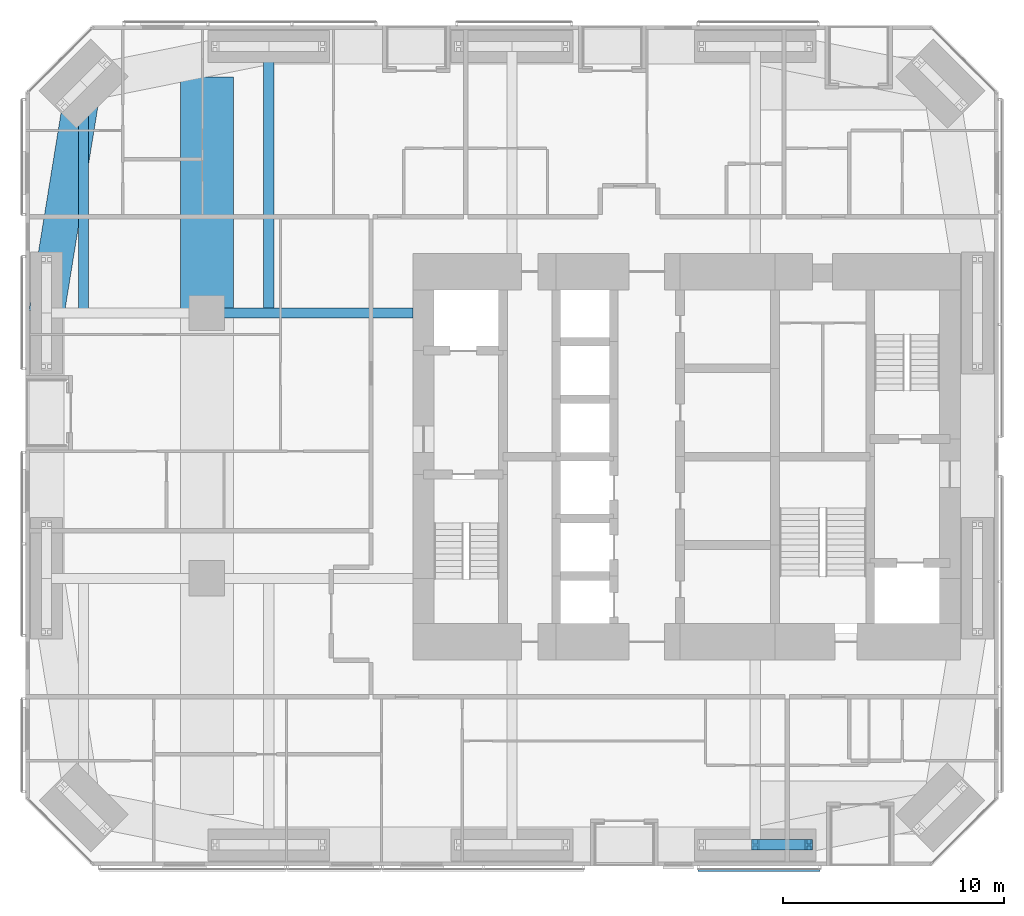
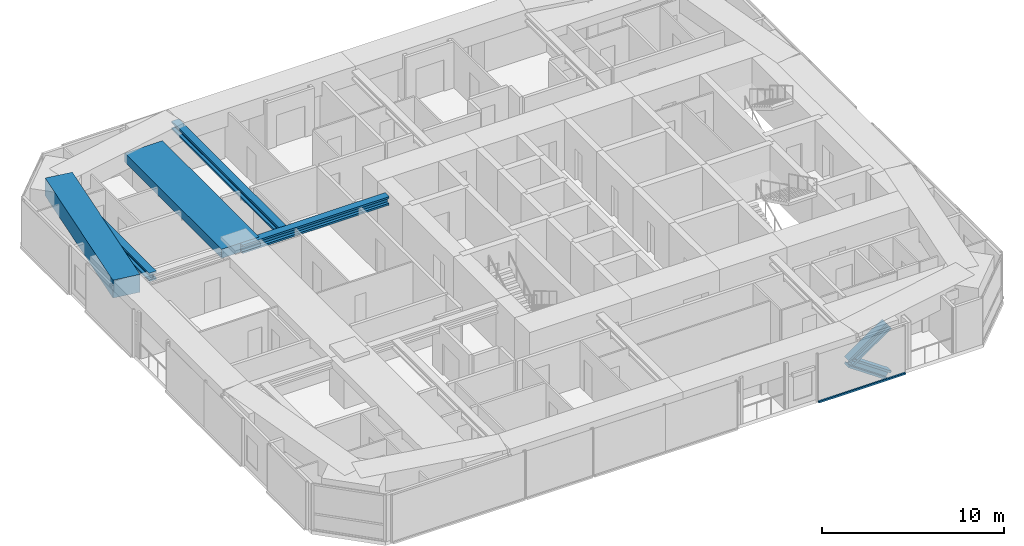
# One storey, part 8 of 24: 5 beams, 3 members, 1 element without a shape of its own.
"""IFC4 building model written with IfcOpenShell, lengths in metres."""

from ifc_helpers import new_model, si_unit, direction, frame, origin, origin_2d, place, context, subcontext, project, spatial, rectangle, i_section, extrude, material, material_profile, profile_set, type_object, element, aggregate, save


model = new_model("IFC4")

# Units and contexts
model_context = context("Model", 3, precision=1e-05, world=origin(), true_north=direction((0.0, 1.0)))
body_context = subcontext(model_context, "Body", "Model", "MODEL_VIEW")
ifc_project = project(units=[si_unit("LENGTHUNIT", "METRE"), si_unit("AREAUNIT", "SQUARE_METRE"), si_unit("VOLUMEUNIT", "CUBIC_METRE"), si_unit("PLANEANGLEUNIT", "RADIAN"), si_unit("MASSUNIT", "GRAM", prefix="KILO")], contexts=[model_context])

# Site, building, storey
site_placement = place(None, origin())
site = spatial("IfcSite", under=ifc_project, at=site_placement, CompositionType="ELEMENT")
building_placement = place(site_placement, origin())
building = spatial("IfcBuilding", under=site, at=building_placement, Name="Jalousie Tower", CompositionType="ELEMENT")
storey_placement = place(building_placement, frame((0.0, 0.0, 47.800048828125)))
storey = spatial("IfcBuildingStorey", under=building, at=storey_placement, Name="L12", CompositionType="ELEMENT", Elevation=47.800048828125)

# Beams
ifc_material_1 = material(Name="Steel ASTM A992 Grade 50", Category="steel")
ifc_material_profile_1 = material_profile(ifc_material_1, i_section(OverallWidth=0.45458984375, OverallDepth=0.569091796875, WebThickness=0.077880859375, FlangeThickness=0.124755859375, at=origin_2d()), Name="W14X730")
ifc_profile_set_1 = profile_set([ifc_material_profile_1], Name="Steel ASTM A992 Grade 50")
beam_type_1 = type_object("IfcBeamType", Name="LEAN COLLECTOR W14X730", PredefinedType="BEAM", material=ifc_profile_set_1)
beam_1_placement = place(storey_placement, frame((10.199951171875, 25.0, 2.825439453125), z_axis=(1.0, 0.0, 0.0), x_axis=(0.0, 1.0, 0.0)))
element("IfcBeam", 1, at=beam_1_placement, inside=storey, type_object=beam_type_1, Name="Lean collector under L13", PredefinedType="BEAM", context=body_context, shape_type="SweptSolid", body=[
    extrude(i_section(OverallWidth=0.45458984375, OverallDepth=0.569091796875, WebThickness=0.077880859375, FlangeThickness=0.124755859375, at=origin_2d()), origin(), (0.0, 0.0, 1.0), 9.324951171875),
])
beam_2_placement = place(storey_placement, frame((4.63134765625, 35.36865234375, 2.825439453125), z_axis=(0.0, -1.0, 0.0), x_axis=(1.0, 0.0, 0.0)))
element("IfcBeam", 2, at=beam_2_placement, inside=storey, type_object=beam_type_1, Name="Lean collector under L13", PredefinedType="BEAM", context=body_context, shape_type="SweptSolid", body=[
    extrude(i_section(OverallWidth=0.45458984375, OverallDepth=0.569091796875, WebThickness=0.077880859375, FlangeThickness=0.124755859375, at=origin_2d()), origin(), (0.0, 0.0, 1.0), 10.36865234375),
])
beam_3_placement = place(storey_placement, frame((13.0, 37.050048828125, 2.825439453125), z_axis=(0.0, -1.0, 0.0), x_axis=(1.0, 0.0, 0.0)))
element("IfcBeam", 3, at=beam_3_placement, inside=storey, type_object=beam_type_1, Name="Lean collector under L13", PredefinedType="BEAM", context=body_context, shape_type="SweptSolid", body=[
    extrude(i_section(OverallWidth=0.45458984375, OverallDepth=0.569091796875, WebThickness=0.077880859375, FlangeThickness=0.124755859375, at=origin_2d()), origin(), (0.0, 0.0, 1.0), 12.050048828125),
])

# Members
ifc_material_2 = material(Name="Steel ASTM A992 Grade 50", Category="steel")
ifc_material_profile_2 = material_profile(ifc_material_2, i_section(OverallWidth=0.472412109375, OverallDepth=0.5791015625, WebThickness=0.094970703125, FlangeThickness=0.1298828125, at=origin_2d()), Name="W14X808")
ifc_profile_set_2 = profile_set([ifc_material_profile_2], Name="Steel ASTM A992 Grade 50")
member_type_1 = type_object("IfcMemberType", Name="PERIMETER BRACE W14X808", PredefinedType="BRACE", material=ifc_profile_set_2)
for number, where, z_axis, x_axis, name in (
    (4, (35.0, 0.949951171875, 1.074951171875), (0.822800062329, 0.0, 0.568330940062), (0.0, 1.0, 0.0), "Perimeter brace 04 L12 part 2"),
    (5, (37.425048828125, 0.949951171875, -0.60009765625), (-0.822800062329, 0.0, 0.568330940062), (0.0, -1.0, 0.0), "Perimeter brace 04 L12 part 3"),
):
    element("IfcMember", number, at=place(storey_placement, frame(where, z_axis=z_axis, x_axis=x_axis)), inside=storey, type_object=member_type_1, Name=name, PredefinedType="BRACE", context=body_context, shape_type="SweptSolid", body=[
        extrude(i_section(OverallWidth=0.472412109375, OverallDepth=0.5791015625, WebThickness=0.094970703125, FlangeThickness=0.1298828125, at=origin_2d()), origin(), (0.0, 0.0, 1.0), 2.947265625),
    ])

# Beams
ifc_material_3 = material(Name="Concrete f'c 40 MPa", Category="concrete")
ifc_material_profile_3 = material_profile(ifc_material_3, rectangle(XDim=1.60009765625, YDim=1.199951171875, at=origin_2d()), Name="RC 1600x1200")
ifc_profile_set_3 = profile_set([ifc_material_profile_3], Name="Concrete f'c 40 MPa")
beam_type_2 = type_object("IfcBeamType", Name="RC BEAM 1600x1200", PredefinedType="BEAM", material=ifc_profile_set_3)
beam_4_placement = place(storey_placement, frame((4.63134765625, 35.36865234375, 2.75), z_axis=(-0.160070546476, -0.987105577003, 0.0), x_axis=(0.987105577003, -0.160070546476, 0.0)))
element("IfcBeam", 6, at=beam_4_placement, inside=storey, type_object=beam_type_2, Name="Edge band beam 12-13 under L13", PredefinedType="BEAM", context=body_context, shape_type="SweptSolid", body=[
    extrude(rectangle(XDim=1.60009765625, YDim=1.199951171875, at=origin_2d()), origin(), (0.0, 0.0, 1.0), 10.504150390625),
])
ifc_material_4 = material(Name="Concrete f'c 40 MPa", Category="concrete")
ifc_material_profile_4 = material_profile(ifc_material_4, rectangle(XDim=2.39990234375, YDim=0.60009765625, at=origin_2d()), Name="RC 2400x600")
ifc_profile_set_4 = profile_set([ifc_material_profile_4], Name="Concrete f'c 40 MPa")
beam_type_3 = type_object("IfcBeamType", Name="RC BEAM 2400x600", PredefinedType="BEAM", material=ifc_profile_set_4)
beam_5_placement = place(storey_placement, frame((10.199951171875, 25.0, 2.81005859375), z_axis=(0.0, 1.0, 0.0), x_axis=(-1.0, 0.0, 0.0)))
element("IfcBeam", 7, at=beam_5_placement, inside=storey, type_object=beam_type_3, Name="Floor band beam under L13", PredefinedType="BEAM", context=body_context, shape_type="SweptSolid", body=[
    extrude(rectangle(XDim=2.39990234375, YDim=0.60009765625, at=origin_2d()), origin(), (0.0, 0.0, 1.0), 10.67138671875),
])

# Curtain wall, member
ifc_material_5 = material(Name="Perforated aluminium sheet", Category="aluminium")
curtain_wall_type = type_object("IfcCurtainWallType", Name="SOLAR SCREEN SS-1", PredefinedType="USERDEFINED", material=ifc_material_5)
curtain_wall_placement = place(storey_placement, origin())
curtain_wall = element("IfcCurtainWall", 8, at=curtain_wall_placement, inside=storey, type_object=curtain_wall_type, Name="Solar screen L12", ObjectType="SOLAR SCREEN SS-1", PredefinedType="USERDEFINED")
ifc_material_6 = material(Name="Extruded aluminium screen rail", Category="aluminium")
ifc_material_profile_5 = material_profile(ifc_material_6, rectangle(XDim=0.1015625, YDim=0.1201171875, at=origin_2d()), Name="RAIL 102x120")
ifc_profile_set_5 = profile_set([ifc_material_profile_5], Name="Extruded aluminium screen rail")
member_type_2 = type_object("IfcMemberType", Name="SOLAR SCREEN SS-1 TRANSOM", PredefinedType="USERDEFINED", material=ifc_profile_set_5)
member_placement = place(storey_placement, frame((32.41748046875, -0.1982421875, -0.06005859375), z_axis=(1.0, 0.0, 0.0), x_axis=(0.0, 1.0, 0.0)))
member = element("IfcMember", 9, at=member_placement, type_object=member_type_2, Name="SS1 rail", ObjectType="TRANSOM", PredefinedType="USERDEFINED", context=body_context, shape_type="SweptSolid", body=[
    extrude(rectangle(XDim=0.1015625, YDim=0.1201171875, at=origin_2d()), origin(), (0.0, 0.0, 1.0), 5.507568359375),
])
aggregate(curtain_wall, [member])

save(model, "model.ifc")
